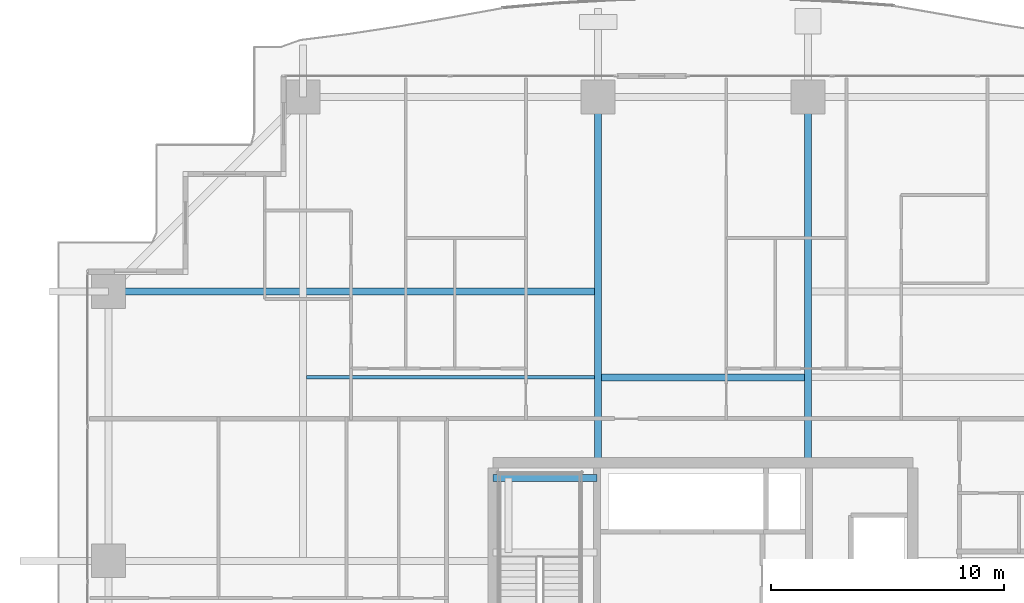
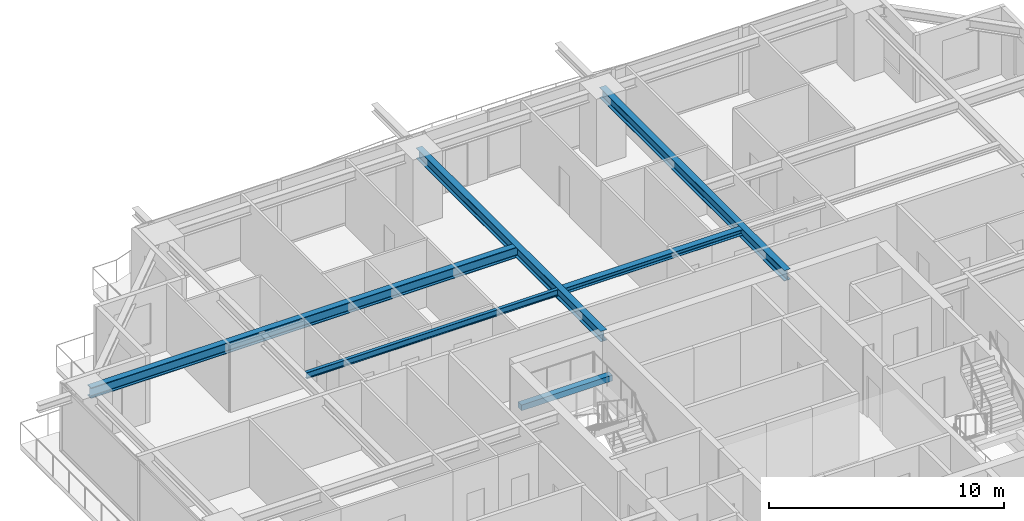
# One storey, part 19 of 38: 6 beams.
"""IFC4 building model written with IfcOpenShell, lengths in metres."""

import ifcopenshell
import ifcopenshell.guid

model = None  # the IFC model being written
_history = None  # IfcOwnerHistory: only IFC2X3 demands one
_inside = {}  # id of a spatial element -> (the spatial element, [elements in it])
_under = {}  # id of a project, library or spatial element -> (it, [spatial elements below it])
_declared = {}  # id of a project -> (the project, [libraries it declares])
_typed = {}  # id of a type object -> (the type object, [elements of that type])
_made_of = {}  # id of a material, layer set ... -> (it, [elements and type objects made of it])


def new_model(schema):
    """Start an empty IFC model of exactly this schema.

    Asked for "IFC4X3", IfcOpenShell would pick the latest addendum, in which some entities
    have other attributes; the version numbers below select the first issue.
    IFC2X3 requires an IfcOwnerHistory on every rooted entity: one is made here for all.
    """
    global model, _history
    if schema == "IFC4X3":
        model = ifcopenshell.file(schema_version=(4, 3, 0, 0))
    else:
        model = ifcopenshell.file(schema=schema)
    _inside.clear()
    _under.clear()
    _declared.clear()
    _typed.clear()
    _made_of.clear()
    _history = None
    if model.schema == "IFC2X3":
        org = make("IfcOrganization", Name="unknown")
        user = make(
            "IfcPersonAndOrganization",
            ThePerson=make("IfcPerson", FamilyName="unknown"),
            TheOrganization=org,
        )
        app = make(
            "IfcApplication",
            ApplicationDeveloper=org,
            Version="unknown",
            ApplicationFullName="unknown",
            ApplicationIdentifier="unknown",
        )
        _history = make(
            "IfcOwnerHistory",
            OwningUser=user,
            OwningApplication=app,
            ChangeAction="ADDED",
            CreationDate=0,
        )
    return model


def make(cls, **values):
    """One entity of the class cls with the attributes given. An attribute that is None is left unset."""
    return model.create_entity(
        cls, **{name: value for name, value in values.items() if value is not None}
    )


def rooted(cls, **values):
    """An entity with a GlobalId (a new one), such as an element, a storey or a relation."""
    return make(cls, GlobalId=ifcopenshell.guid.new(), OwnerHistory=_history, **values)


def si_unit(unit_type, name, prefix=None):
    """IfcSIUnit, for example si_unit("LENGTHUNIT", "METRE", prefix="MILLI")."""
    return make("IfcSIUnit", UnitType=unit_type, Prefix=prefix, Name=name)


def assignment(units):
    """IfcUnitAssignment: the units of a project."""
    return None if units is None else make("IfcUnitAssignment", Units=units)


def point(xyz):
    """IfcCartesianPoint."""
    return None if xyz is None else make("IfcCartesianPoint", Coordinates=xyz)


def direction(xyz):
    """IfcDirection."""
    return None if xyz is None else make("IfcDirection", DirectionRatios=xyz)


def frame(location, z_axis=None, x_axis=None):
    """IfcAxis2Placement3D, a coordinate frame: its origin and axes. An axis left out is left unset."""
    return make(
        "IfcAxis2Placement3D",
        Location=point(location),
        Axis=direction(z_axis),
        RefDirection=direction(x_axis),
    )


def frame_2d(location, x_axis=None):
    """IfcAxis2Placement2D, a coordinate frame in the plane: its origin and x axis."""
    return make(
        "IfcAxis2Placement2D", Location=point(location), RefDirection=direction(x_axis)
    )


def origin():
    """The frame at (0, 0, 0) with its axes left unset."""
    return frame((0.0, 0.0, 0.0))


def origin_2d():
    """The frame at (0, 0) in the plane with its x axis left unset."""
    return frame_2d((0.0, 0.0))


def place(relative_to, where):
    """IfcLocalPlacement: puts the frame where relative to a parent placement (None: the world)."""
    return make(
        "IfcLocalPlacement", PlacementRelTo=relative_to, RelativePlacement=where
    )


def context(
    kind, dimensions, precision=None, world=None, true_north=None, identifier=None
):
    """IfcGeometricRepresentationContext, for example the 3D "Model" context."""
    return make(
        "IfcGeometricRepresentationContext",
        ContextIdentifier=identifier,
        ContextType=kind,
        CoordinateSpaceDimension=dimensions,
        Precision=precision,
        WorldCoordinateSystem=world,
        TrueNorth=true_north,
    )


def subcontext(parent, identifier, kind, view, scale=None):
    """IfcGeometricRepresentationSubContext, for example "Body" below "Model"."""
    return make(
        "IfcGeometricRepresentationSubContext",
        ContextIdentifier=identifier,
        ContextType=kind,
        ParentContext=parent,
        TargetScale=scale,
        TargetView=view,
    )


def project(units=None, contexts=None):
    """IfcProject with its units and contexts."""
    return rooted(
        "IfcProject",
        Name="project",
        RepresentationContexts=contexts,
        UnitsInContext=assignment(units),
    )


def spatial(cls, under=None, at=None, **own):
    """A site, building, storey or space (cls), placed at a placement, below another one or the project."""
    s = rooted(cls, ObjectPlacement=at, **own)
    if under is not None:
        _under.setdefault(under.id(), (under, []))[1].append(s)
    return s


def profile(cls, at=None, kind="AREA", **sizes):
    """A parametric profile (cls). Its sizes go by their IFC names, for example OverallWidth=200.0."""
    return make(cls, ProfileType=kind, Position=at, **sizes)


def rectangle(**sizes):
    """IfcRectangleProfileDef."""
    return profile("IfcRectangleProfileDef", **sizes)


def i_section(**sizes):
    """IfcIShapeProfileDef."""
    return profile("IfcIShapeProfileDef", **sizes)


def extrude(swept, where, along, depth):
    """IfcExtrudedAreaSolid: the profile swept, set in the frame where, extruded along a direction by depth."""
    return make(
        "IfcExtrudedAreaSolid",
        SweptArea=swept,
        Position=where,
        ExtrudedDirection=direction(along),
        Depth=depth,
    )


def shape(context_of_items, identifier, shape_type, items):
    """IfcShapeRepresentation: the items that make up one representation, for example the "Body"."""
    return make(
        "IfcShapeRepresentation",
        ContextOfItems=context_of_items,
        RepresentationIdentifier=identifier,
        RepresentationType=shape_type,
        Items=items,
    )


def source(mapping_origin, context_of_items, identifier, shape_type, items):
    """IfcRepresentationMap: a shape defined once, which mapped items show again and again."""
    return make(
        "IfcRepresentationMap",
        MappingOrigin=mapping_origin,
        MappedRepresentation=shape(context_of_items, identifier, shape_type, items),
    )


def transform(
    local_origin,
    x_axis=None,
    y_axis=None,
    z_axis=None,
    scale=None,
    scale2=None,
    scale3=None,
    uniform=True,
):
    """IfcCartesianTransformationOperator3D, or its non-uniform kind. x_axis, y_axis, z_axis: its Axis1, 2, 3."""
    if uniform:
        return make(
            "IfcCartesianTransformationOperator3D",
            Axis1=direction(x_axis),
            Axis2=direction(y_axis),
            LocalOrigin=point(local_origin),
            Scale=scale,
            Axis3=direction(z_axis),
        )
    return make(
        "IfcCartesianTransformationOperator3DnonUniform",
        Axis1=direction(x_axis),
        Axis2=direction(y_axis),
        LocalOrigin=point(local_origin),
        Scale=scale,
        Axis3=direction(z_axis),
        Scale2=scale2,
        Scale3=scale3,
    )


def mapped(mapping_source, mapping_target):
    """IfcMappedItem: shows the shape of a source again, moved by a transform."""
    return make(
        "IfcMappedItem", MappingSource=mapping_source, MappingTarget=mapping_target
    )


def material(Name=None, Category=None):
    """IfcMaterial."""
    return make("IfcMaterial", Name=Name, Category=Category)


def material_profile(
    of_material, cross_section, Name=None, Category=None, Priority=None
):
    """IfcMaterialProfile: a cross section and its material."""
    return make(
        "IfcMaterialProfile",
        Name=Name,
        Material=of_material,
        Profile=cross_section,
        Priority=Priority,
        Category=Category,
    )


def profile_set(profiles, Name=None, composite=None):
    """IfcMaterialProfileSet."""
    return make(
        "IfcMaterialProfileSet",
        Name=Name,
        MaterialProfiles=profiles,
        CompositeProfile=composite,
    )


def made_of(thing, what):
    """Note that an element or type object is made of a material, layer set ...; save() writes the relation."""
    if what is not None:
        _made_of.setdefault(what.id(), (what, []))[1].append(thing)
    return thing


def type_object(cls, material=None, **own):
    """A type object (cls), such as IfcWallType, which elements share."""
    return made_of(rooted(cls, **own), material)


def element(
    cls,
    number,
    at=None,
    inside=None,
    cuts=None,
    type_object=None,
    material=None,
    context=None,
    identifier="Body",
    shape_type=None,
    held_by="IfcProductDefinitionShape",
    body=None,
    shapes=None,
    **own,
):
    """One element of the class cls, such as IfcWall. Its Tag is "e" and its number.

    at: its placement. inside: the storey or other place that contains it. cuts: it is an
    opening in that element (IfcRelVoidsElement). A single representation is given by context,
    identifier, shape_type and body (its items); several are given by shapes. held_by: the class
    of the entity that holds the representations. save() writes the other relations.
    """
    e = rooted(cls, Tag="e%d" % number, ObjectPlacement=at, **own)
    if body is not None:
        shapes = [shape(context, identifier, shape_type, body)]
    if shapes is not None:
        e.Representation = make(held_by, Representations=shapes)
    if inside is not None:
        _inside.setdefault(inside.id(), (inside, []))[1].append(e)
    if cuts is not None:
        rooted(
            "IfcRelVoidsElement", RelatingBuildingElement=cuts, RelatedOpeningElement=e
        )
    if type_object is not None:
        _typed.setdefault(type_object.id(), (type_object, []))[1].append(e)
    return made_of(e, material)


def aggregate(whole, parts):
    """IfcRelAggregates: a whole, such as a stair, and the parts it consists of."""
    return rooted("IfcRelAggregates", RelatingObject=whole, RelatedObjects=parts)


def save(model, path):
    """Write the relations noted so far, then the file.

    IfcRelAggregates (storeys below a building ...), IfcRelContainedInSpatialStructure (elements
    in a storey), IfcRelDefinesByType, IfcRelAssociatesMaterial and IfcRelDeclares: one each for
    every whole, place, type object, material and project.
    """
    for whole, parts in _under.values():
        aggregate(whole, parts)
    for where, things in _inside.values():
        rooted(
            "IfcRelContainedInSpatialStructure",
            RelatedElements=things,
            RelatingStructure=where,
        )
    for kind, things in _typed.values():
        rooted("IfcRelDefinesByType", RelatedObjects=things, RelatingType=kind)
    for what, things in _made_of.values():
        rooted("IfcRelAssociatesMaterial", RelatedObjects=things, RelatingMaterial=what)
    for by, libraries in _declared.values():
        rooted("IfcRelDeclares", RelatingContext=by, RelatedDefinitions=libraries)
    model.write(path)


model = new_model("IFC4")

# Units and contexts
model_context = context("Model", 3, precision=1e-05, world=origin(), true_north=direction((0.0, 1.0)))
body_context = subcontext(model_context, "Body", "Model", "MODEL_VIEW")
ifc_project = project(units=[si_unit("LENGTHUNIT", "METRE"), si_unit("AREAUNIT", "SQUARE_METRE"), si_unit("VOLUMEUNIT", "CUBIC_METRE"), si_unit("PLANEANGLEUNIT", "RADIAN"), si_unit("MASSUNIT", "GRAM", prefix="KILO")], contexts=[model_context])

# Site, building, storey
site_placement = place(None, origin())
site = spatial("IfcSite", under=ifc_project, at=site_placement, CompositionType="ELEMENT")
building_placement = place(site_placement, origin())
building = spatial("IfcBuilding", under=site, at=building_placement, Name="Serunith Strait Residences", CompositionType="ELEMENT")
storey_placement = place(building_placement, frame((0.0, 0.0, 67.949951171875)))
storey = spatial("IfcBuildingStorey", under=building, at=storey_placement, Name="L16", CompositionType="ELEMENT", Elevation=67.949951171875)

# Beams
ifc_material_1 = material(Name="Steel S355J2", Category="steel")
ifc_material_profile_1 = material_profile(ifc_material_1, i_section(OverallWidth=0.300048828125, OverallDepth=0.550048828125, WebThickness=0.014892578125, FlangeThickness=0.029052734375, FilletRadius=0.027099609375, at=origin_2d()), Name="HEB 550")
ifc_profile_set_1 = profile_set([ifc_material_profile_1], Name="Steel S355J2")
beam_type_1 = type_object("IfcBeamType", Name="BM-HEB550", PredefinedType="BEAM", material=ifc_profile_set_1)
shared_shape_1 = source(origin(), body_context, "Body", "SweptSolid", [
    extrude(i_section(OverallWidth=0.300048828125, OverallDepth=0.550048828125, WebThickness=0.014892578125, FlangeThickness=0.029052734375, FilletRadius=0.027099609375, at=origin_2d()), origin(), (0.0, 0.0, 1.0), 15.699951171875),
])
for number, where, z_axis, x_axis, name in (
    (1, (27.89990234375, 33.60009765625, 3.212158203125), (0.0, 1.0, 0.0), (-1.0, 0.0, 0.0), "L16 Primary Floor Girder TC-N2"),
    (2, (36.89990234375, 33.60009765625, 3.212158203125), (0.0, 1.0, 0.0), (-1.0, 0.0, 0.0), "L16 Primary Floor Girder TC-N3"),
):
    element("IfcBeam", number, at=place(storey_placement, frame(where, z_axis=z_axis, x_axis=x_axis)), inside=storey, type_object=beam_type_1, Name=name, PredefinedType="BEAM", context=body_context, shape_type="MappedRepresentation", body=[
        mapped(shared_shape_1, transform((0.0, 0.0, 0.0), scale=1.0)),
    ])
shared_shape_2 = source(origin(), body_context, "Body", "SweptSolid", [
    extrude(i_section(OverallWidth=0.300048828125, OverallDepth=0.550048828125, WebThickness=0.014892578125, FlangeThickness=0.029052734375, FilletRadius=0.027099609375, at=origin_2d()), origin(), (0.0, 0.0, 1.0), 21.0),
])
beam_1_placement = place(storey_placement, frame((27.89990234375, 40.949951171875, 3.212158203125), z_axis=(-1.0, 0.0, 0.0), x_axis=(0.0, -1.0, 0.0)))
element("IfcBeam", 3, at=beam_1_placement, inside=storey, type_object=beam_type_1, Name="L16 Orthogonal Corner Girder TC-W4", PredefinedType="BEAM", context=body_context, shape_type="MappedRepresentation", body=[
    mapped(shared_shape_2, transform((0.0, 0.0, 0.0), scale=1.0)),
])
ifc_material_profile_2 = material_profile(ifc_material_1, i_section(OverallWidth=0.159912109375, OverallDepth=0.330078125, WebThickness=0.007568359375, FlangeThickness=0.011474609375, FilletRadius=0.01806640625, at=origin_2d()), Name="IPE 330")
ifc_profile_set_2 = profile_set([ifc_material_profile_2], Name="Steel S355J2")
beam_type_2 = type_object("IfcBeamType", Name="BM-IPE330", PredefinedType="JOIST", material=ifc_profile_set_2)
shared_shape_3 = source(origin(), body_context, "Body", "SweptSolid", [
    extrude(i_section(OverallWidth=0.159912109375, OverallDepth=0.330078125, WebThickness=0.007568359375, FlangeThickness=0.011474609375, FilletRadius=0.01806640625, at=origin_2d()), origin(), (0.0, 0.0, 1.0), 12.35009765625),
])
beam_2_placement = place(storey_placement, frame((15.39990234375, 37.27490234375, 3.322021484375), z_axis=(1.0, 0.0, 0.0), x_axis=(0.0, 1.0, 0.0)))
element("IfcBeam", 4, at=beam_2_placement, inside=storey, type_object=beam_type_2, Name="L16 Composite Floor Joist 04", PredefinedType="JOIST", context=body_context, shape_type="MappedRepresentation", body=[
    mapped(shared_shape_3, transform((0.0, 0.0, 0.0), scale=1.0)),
])
ifc_material_profile_3 = material_profile(ifc_material_1, i_section(OverallWidth=0.300048828125, OverallDepth=0.300048828125, WebThickness=0.010986328125, FlangeThickness=0.01904296875, FilletRadius=0.027099609375, at=origin_2d()), Name="HEB 300")
ifc_profile_set_3 = profile_set([ifc_material_profile_3], Name="Steel S355J2")
beam_type_3 = type_object("IfcBeamType", Name="BM-HEB300", PredefinedType="JOIST", material=ifc_profile_set_3)
shared_shape_4 = source(origin(), body_context, "Body", "SweptSolid", [
    extrude(i_section(OverallWidth=0.300048828125, OverallDepth=0.300048828125, WebThickness=0.010986328125, FlangeThickness=0.01904296875, FilletRadius=0.027099609375, at=origin_2d()), origin(), (0.0, 0.0, 1.0), 8.699951171875),
])
beam_3_placement = place(storey_placement, frame((28.050048828125, 37.27490234375, 3.337158203125), z_axis=(1.0, 0.0, 0.0), x_axis=(0.0, 1.0, 0.0)))
element("IfcBeam", 5, at=beam_3_placement, inside=storey, type_object=beam_type_3, Name="L16 Composite Floor Joist 05", PredefinedType="JOIST", context=body_context, shape_type="MappedRepresentation", body=[
    mapped(shared_shape_4, transform((0.0, 0.0, 0.0), scale=1.0)),
])
ifc_material_2 = material(Name="Concrete C60/75", Category="concrete")
ifc_material_profile_4 = material_profile(ifc_material_2, rectangle(XDim=0.300048828125, YDim=0.300048828125, at=origin_2d()), Name="RC 300x300")
ifc_profile_set_4 = profile_set([ifc_material_profile_4], Name="Concrete C60/75")
beam_type_4 = type_object("IfcBeamType", Name="BM-LAND-300x300", PredefinedType="BEAM", material=ifc_profile_set_4)
shared_shape_5 = source(origin(), body_context, "Body", "SweptSolid", [
    extrude(rectangle(XDim=0.300048828125, YDim=0.300048828125, at=origin_2d()), origin(), (0.0, 0.0, 1.0), 4.4501953125),
])
beam_4_placement = place(storey_placement, frame((23.39990234375, 32.949951171875, 1.525146484375), z_axis=(1.0, 0.0, 0.0), x_axis=(0.0, 1.0, 0.0)))
element("IfcBeam", 6, at=beam_4_placement, inside=storey, type_object=beam_type_4, Name="L16 ST-1 Landing Support Beam 2", PredefinedType="BEAM", context=body_context, shape_type="MappedRepresentation", body=[
    mapped(shared_shape_5, transform((0.0, 0.0, 0.0), scale=1.0)),
])

save(model, "model.ifc")
